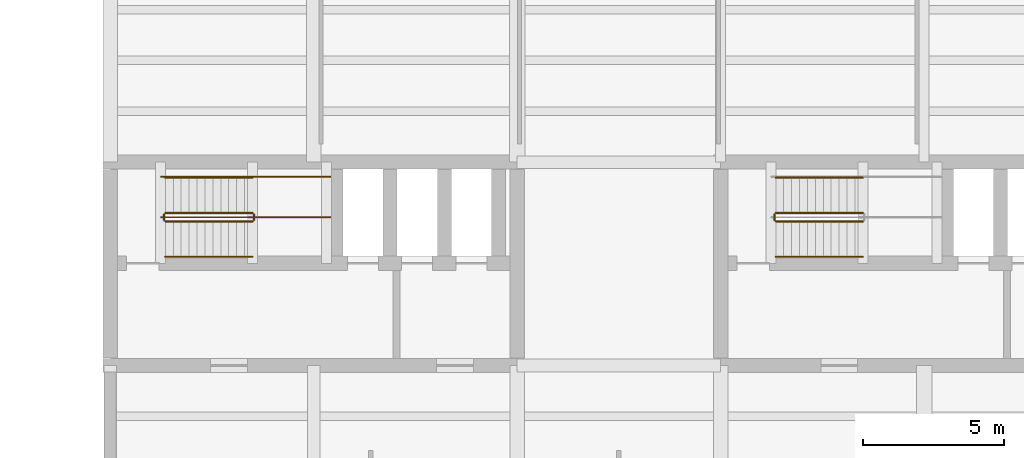
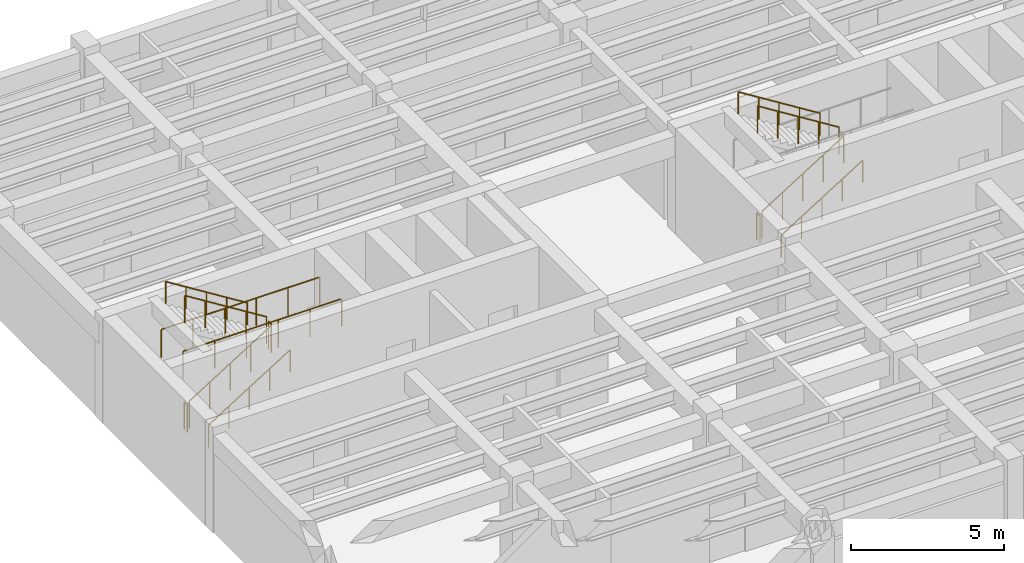
# One storey, part 30 of 33: 13 railings.
"""IFC4 building model written with IfcOpenShell, lengths in metres."""

from ifc_helpers import new_model, si_unit, direction, frame, origin, origin_2d, place, context, subcontext, project, spatial, circle, extrude, material, type_object, element, save


model = new_model("IFC4")

# Units and contexts
model_context = context("Model", 3, precision=1e-05, world=origin(), true_north=direction((0.0, 1.0)))
body_context = subcontext(model_context, "Body", "Model", "MODEL_VIEW")
ifc_project = project(units=[si_unit("LENGTHUNIT", "METRE"), si_unit("AREAUNIT", "SQUARE_METRE"), si_unit("VOLUMEUNIT", "CUBIC_METRE"), si_unit("PLANEANGLEUNIT", "RADIAN"), si_unit("MASSUNIT", "GRAM", prefix="KILO")], contexts=[model_context])

# Site, building, storey
site_placement = place(None, origin())
site = spatial("IfcSite", under=ifc_project, at=site_placement, CompositionType="ELEMENT")
building_placement = place(site_placement, origin())
building = spatial("IfcBuilding", under=site, at=building_placement, Name="Mithqara Police Headquarters", CompositionType="ELEMENT")
storey_placement = place(building_placement, frame((0.0, 0.0, -4.199951171875)))
storey = spatial("IfcBuildingStorey", under=building, at=storey_placement, Name="B1", CompositionType="ELEMENT", Elevation=-4.199951171875)

# Railings
ifc_material = material(Name="Steel S355JR", Category="steel")
railing_type_1 = type_object("IfcRailingType", Name="HANDRAIL 920", PredefinedType="HANDRAIL", material=ifc_material)
railing_1_placement = place(storey_placement, frame((110.550048828125, 96.85009765625, 0.175048828125)))
element("IfcRailing", 1, at=railing_1_placement, inside=storey, type_object=railing_type_1, Name="B1 ST-01 stair handrail 1", PredefinedType="HANDRAIL", context=body_context, shape_type="SweptSolid", body=[
    extrude(circle(Radius=0.02392578125, at=origin_2d()), frame((0.0, 0.0, 0.8759765625), z_axis=(0.848009633417, 0.0, 0.529980812513), x_axis=(0.0, 1.0, 0.0)), (0.0, 0.0, 1.0), 3.6318359375),
    extrude(circle(Radius=0.02099609375, at=origin_2d()), origin(), (0.0, 0.0, 1.0), 0.851806640625),
    extrude(circle(Radius=0.02099609375, at=origin_2d()), frame((0.77001953125, 0.0, 0.481201171875)), (0.0, 0.0, 1.0), 0.851806640625),
    extrude(circle(Radius=0.02099609375, at=origin_2d()), frame((1.5400390625, 0.0, 0.96240234375)), (0.0, 0.0, 1.0), 0.851806640625),
    extrude(circle(Radius=0.02099609375, at=origin_2d()), frame((2.309814453125, 0.0, 1.443603515625)), (0.0, 0.0, 1.0), 0.851806640625),
    extrude(circle(Radius=0.02099609375, at=origin_2d()), frame((3.079833984375, 0.0, 1.9248046875)), (0.0, 0.0, 1.0), 0.851806640625),
])
railing_2_placement = place(storey_placement, frame((113.6298828125, 99.64990234375, 2.27490234375)))
element("IfcRailing", 2, at=railing_2_placement, inside=storey, type_object=railing_type_1, Name="B1 ST-01 stair handrail 2", PredefinedType="HANDRAIL", context=body_context, shape_type="SweptSolid", body=[
    extrude(circle(Radius=0.02392578125, at=origin_2d()), frame((0.0, 0.0, 0.8759765625), z_axis=(-0.847979421464, 0.0, 0.530029150871), x_axis=(0.0, -1.0, 0.0)), (0.0, 0.0, 1.0), 3.632080078125),
    extrude(circle(Radius=0.02099609375, at=origin_2d()), origin(), (0.0, 0.0, 1.0), 0.851806640625),
    extrude(circle(Radius=0.02099609375, at=origin_2d()), frame((-0.77001953125, 0.0, 0.481201171875)), (0.0, 0.0, 1.0), 0.851806640625),
    extrude(circle(Radius=0.02099609375, at=origin_2d()), frame((-1.5400390625, 0.0, 0.96240234375)), (0.0, 0.0, 1.0), 0.851806640625),
    extrude(circle(Radius=0.02099609375, at=origin_2d()), frame((-2.309814453125, 0.0, 1.44384765625)), (0.0, 0.0, 1.0), 0.851806640625),
    extrude(circle(Radius=0.02099609375, at=origin_2d()), frame((-3.079833984375, 0.0, 1.925048828125)), (0.0, 0.0, 1.0), 0.851806640625),
])
railing_3_placement = place(storey_placement, frame((132.14990234375, 96.85009765625, 0.175048828125)))
element("IfcRailing", 3, at=railing_3_placement, inside=storey, type_object=railing_type_1, Name="B1 ST-02 stair handrail 1", PredefinedType="HANDRAIL", context=body_context, shape_type="SweptSolid", body=[
    extrude(circle(Radius=0.02392578125, at=origin_2d()), frame((0.0, 0.0, 0.8759765625), z_axis=(0.848028513186, 0.0, 0.529950602248), x_axis=(0.0, 1.0, 0.0)), (0.0, 0.0, 1.0), 3.632080078125),
    extrude(circle(Radius=0.02099609375, at=origin_2d()), origin(), (0.0, 0.0, 1.0), 0.851806640625),
    extrude(circle(Radius=0.02099609375, at=origin_2d()), frame((0.77001953125, 0.0, 0.481201171875)), (0.0, 0.0, 1.0), 0.851806640625),
    extrude(circle(Radius=0.02099609375, at=origin_2d()), frame((1.5400390625, 0.0, 0.96240234375)), (0.0, 0.0, 1.0), 0.851806640625),
    extrude(circle(Radius=0.02099609375, at=origin_2d()), frame((2.31005859375, 0.0, 1.443603515625)), (0.0, 0.0, 1.0), 0.851806640625),
    extrude(circle(Radius=0.02099609375, at=origin_2d()), frame((3.080078125, 0.0, 1.9248046875)), (0.0, 0.0, 1.0), 0.851806640625),
])
railing_4_placement = place(storey_placement, frame((135.22998046875, 99.64990234375, 2.27490234375)))
element("IfcRailing", 4, at=railing_4_placement, inside=storey, type_object=railing_type_1, Name="B1 ST-02 stair handrail 2", PredefinedType="HANDRAIL", context=body_context, shape_type="SweptSolid", body=[
    extrude(circle(Radius=0.02392578125, at=origin_2d()), frame((0.0, 0.0, 0.8759765625), z_axis=(-0.847998304005, 0.0, 0.529998940003), x_axis=(0.0, -1.0, 0.0)), (0.0, 0.0, 1.0), 3.632080078125),
    extrude(circle(Radius=0.02099609375, at=origin_2d()), origin(), (0.0, 0.0, 1.0), 0.851806640625),
    extrude(circle(Radius=0.02099609375, at=origin_2d()), frame((-0.77001953125, 0.0, 0.481201171875)), (0.0, 0.0, 1.0), 0.851806640625),
    extrude(circle(Radius=0.02099609375, at=origin_2d()), frame((-1.5400390625, 0.0, 0.96240234375)), (0.0, 0.0, 1.0), 0.851806640625),
    extrude(circle(Radius=0.02099609375, at=origin_2d()), frame((-2.31005859375, 0.0, 1.44384765625)), (0.0, 0.0, 1.0), 0.851806640625),
    extrude(circle(Radius=0.02099609375, at=origin_2d()), frame((-3.080078125, 0.0, 1.925048828125)), (0.0, 0.0, 1.0), 0.851806640625),
])
railing_type_2 = type_object("IfcRailingType", Name="STAIR GUARD 1120", PredefinedType="GUARDRAIL", material=ifc_material)
railing_5_placement = place(storey_placement, frame((110.550048828125, 98.10009765625, 0.175048828125)))
element("IfcRailing", 5, at=railing_5_placement, inside=storey, type_object=railing_type_2, Name="B1 ST-01 stair guard 1", PredefinedType="GUARDRAIL", context=body_context, shape_type="SweptSolid", body=[
    extrude(circle(Radius=0.02392578125, at=origin_2d()), frame((0.0, 0.0, 1.076171875), z_axis=(0.848009633417, 0.0, 0.529980812513), x_axis=(0.0, 1.0, 0.0)), (0.0, 0.0, 1.0), 3.6318359375),
    extrude(circle(Radius=0.02099609375, at=origin_2d()), origin(), (0.0, 0.0, 1.0), 1.052001953125),
    extrude(circle(Radius=0.02099609375, at=origin_2d()), frame((0.77001953125, 0.0, 0.481201171875)), (0.0, 0.0, 1.0), 1.052001953125),
    extrude(circle(Radius=0.02099609375, at=origin_2d()), frame((1.5400390625, 0.0, 0.96240234375)), (0.0, 0.0, 1.0), 1.052001953125),
    extrude(circle(Radius=0.02099609375, at=origin_2d()), frame((2.309814453125, 0.0, 1.443603515625)), (0.0, 0.0, 1.0), 1.052001953125),
    extrude(circle(Radius=0.02099609375, at=origin_2d()), frame((3.079833984375, 0.0, 1.9248046875)), (0.0, 0.0, 1.0), 1.052001953125),
])
railing_6_placement = place(storey_placement, frame((113.679931640625, 98.14990234375, 2.099853515625)))
element("IfcRailing", 6, at=railing_6_placement, inside=storey, type_object=railing_type_2, Name="B1 ST-01 stair guard 2", PredefinedType="GUARDRAIL", context=body_context, shape_type="SweptSolid", body=[
    extrude(circle(Radius=0.02392578125, at=origin_2d()), frame((0.0, 0.0, 1.076171875), z_axis=(0.0, 1.0, 0.0), x_axis=(-1.0, 0.0, 0.0)), (0.0, 0.0, 1.0), 0.2001953125),
    extrude(circle(Radius=0.02099609375, at=origin_2d()), origin(), (0.0, 0.0, 1.0), 1.052001953125),
    extrude(circle(Radius=0.02099609375, at=origin_2d()), frame((0.0, 0.2001953125, 0.0)), (0.0, 0.0, 1.0), 1.052001953125),
])
railing_7_placement = place(storey_placement, frame((113.6298828125, 98.39990234375, 2.27490234375)))
element("IfcRailing", 7, at=railing_7_placement, inside=storey, type_object=railing_type_2, Name="B1 ST-01 stair guard 3", PredefinedType="GUARDRAIL", context=body_context, shape_type="SweptSolid", body=[
    extrude(circle(Radius=0.02392578125, at=origin_2d()), frame((0.0, 0.0, 1.076171875), z_axis=(-0.847979421464, 0.0, 0.530029150871), x_axis=(0.0, -1.0, 0.0)), (0.0, 0.0, 1.0), 3.632080078125),
    extrude(circle(Radius=0.02099609375, at=origin_2d()), origin(), (0.0, 0.0, 1.0), 1.052001953125),
    extrude(circle(Radius=0.02099609375, at=origin_2d()), frame((-0.77001953125, 0.0, 0.481201171875)), (0.0, 0.0, 1.0), 1.052001953125),
    extrude(circle(Radius=0.02099609375, at=origin_2d()), frame((-1.5400390625, 0.0, 0.96240234375)), (0.0, 0.0, 1.0), 1.052001953125),
    extrude(circle(Radius=0.02099609375, at=origin_2d()), frame((-2.309814453125, 0.0, 1.44384765625)), (0.0, 0.0, 1.0), 1.052001953125),
    extrude(circle(Radius=0.02099609375, at=origin_2d()), frame((-3.079833984375, 0.0, 1.925048828125)), (0.0, 0.0, 1.0), 1.052001953125),
])
railing_8_placement = place(storey_placement, frame((110.5, 98.14990234375, 0.0)))
element("IfcRailing", 8, at=railing_8_placement, inside=storey, type_object=railing_type_2, Name="B1 ST-01 stair guard 4", PredefinedType="GUARDRAIL", context=body_context, shape_type="SweptSolid", body=[
    extrude(circle(Radius=0.02392578125, at=origin_2d()), frame((0.0, 0.0, 1.076171875), z_axis=(0.0, 1.0, 0.0), x_axis=(-1.0, 0.0, 0.0)), (0.0, 0.0, 1.0), 0.2001953125),
    extrude(circle(Radius=0.02099609375, at=origin_2d()), origin(), (0.0, 0.0, 1.0), 1.052001953125),
    extrude(circle(Radius=0.02099609375, at=origin_2d()), frame((0.0, 0.2001953125, 0.0)), (0.0, 0.0, 1.0), 1.052001953125),
])
for number, where, name in (
    (9, (110.39990234375, 98.25, 2.099853515625), "B1 ST-01 Half-Landing Guard IN"),
    (10, (110.39990234375, 99.679931640625, 2.099853515625), "B1 ST-01 Half-Landing Guard OUT"),
):
    element("IfcRailing", number, at=place(storey_placement, frame(where)), inside=storey, type_object=railing_type_2, Name=name, PredefinedType="GUARDRAIL", context=body_context, shape_type="SweptSolid", body=[
        extrude(circle(Radius=0.02392578125, at=origin_2d()), frame((0.0, 0.0, 1.09619140625), z_axis=(1.0, 0.0, 0.0), x_axis=(0.0, 1.0, 0.0)), (0.0, 0.0, 1.0), 5.97998046875),
        extrude(circle(Radius=0.02099609375, at=origin_2d()), origin(), (0.0, 0.0, 1.0), 1.072021484375),
        extrude(circle(Radius=0.02099609375, at=origin_2d()), frame((1.196044921875, 0.0, 0.0)), (0.0, 0.0, 1.0), 1.072021484375),
        extrude(circle(Radius=0.02099609375, at=origin_2d()), frame((2.39208984375, 0.0, 0.0)), (0.0, 0.0, 1.0), 1.072021484375),
        extrude(circle(Radius=0.02099609375, at=origin_2d()), frame((3.587890625, 0.0, 0.0)), (0.0, 0.0, 1.0), 1.072021484375),
        extrude(circle(Radius=0.02099609375, at=origin_2d()), frame((4.783935546875, 0.0, 0.0)), (0.0, 0.0, 1.0), 1.072021484375),
        extrude(circle(Radius=0.02099609375, at=origin_2d()), frame((5.97998046875, 0.0, 0.0)), (0.0, 0.0, 1.0), 1.072021484375),
    ])
railing_9_placement = place(storey_placement, frame((132.14990234375, 98.10009765625, 0.175048828125)))
element("IfcRailing", 11, at=railing_9_placement, inside=storey, type_object=railing_type_2, Name="B1 ST-02 stair guard 1", PredefinedType="GUARDRAIL", context=body_context, shape_type="SweptSolid", body=[
    extrude(circle(Radius=0.02392578125, at=origin_2d()), frame((0.0, 0.0, 1.076171875), z_axis=(0.848028513186, 0.0, 0.529950602248), x_axis=(0.0, 1.0, 0.0)), (0.0, 0.0, 1.0), 3.632080078125),
    extrude(circle(Radius=0.02099609375, at=origin_2d()), origin(), (0.0, 0.0, 1.0), 1.052001953125),
    extrude(circle(Radius=0.02099609375, at=origin_2d()), frame((0.77001953125, 0.0, 0.481201171875)), (0.0, 0.0, 1.0), 1.052001953125),
    extrude(circle(Radius=0.02099609375, at=origin_2d()), frame((1.5400390625, 0.0, 0.96240234375)), (0.0, 0.0, 1.0), 1.052001953125),
    extrude(circle(Radius=0.02099609375, at=origin_2d()), frame((2.31005859375, 0.0, 1.443603515625)), (0.0, 0.0, 1.0), 1.052001953125),
    extrude(circle(Radius=0.02099609375, at=origin_2d()), frame((3.080078125, 0.0, 1.9248046875)), (0.0, 0.0, 1.0), 1.052001953125),
])
railing_10_placement = place(storey_placement, frame((135.22998046875, 98.39990234375, 2.27490234375)))
element("IfcRailing", 12, at=railing_10_placement, inside=storey, type_object=railing_type_2, Name="B1 ST-02 stair guard 3", PredefinedType="GUARDRAIL", context=body_context, shape_type="SweptSolid", body=[
    extrude(circle(Radius=0.02392578125, at=origin_2d()), frame((0.0, 0.0, 1.076171875), z_axis=(-0.847998304005, 0.0, 0.529998940003), x_axis=(0.0, -1.0, 0.0)), (0.0, 0.0, 1.0), 3.632080078125),
    extrude(circle(Radius=0.02099609375, at=origin_2d()), origin(), (0.0, 0.0, 1.0), 1.052001953125),
    extrude(circle(Radius=0.02099609375, at=origin_2d()), frame((-0.77001953125, 0.0, 0.481201171875)), (0.0, 0.0, 1.0), 1.052001953125),
    extrude(circle(Radius=0.02099609375, at=origin_2d()), frame((-1.5400390625, 0.0, 0.96240234375)), (0.0, 0.0, 1.0), 1.052001953125),
    extrude(circle(Radius=0.02099609375, at=origin_2d()), frame((-2.31005859375, 0.0, 1.44384765625)), (0.0, 0.0, 1.0), 1.052001953125),
    extrude(circle(Radius=0.02099609375, at=origin_2d()), frame((-3.080078125, 0.0, 1.925048828125)), (0.0, 0.0, 1.0), 1.052001953125),
])
railing_11_placement = place(storey_placement, frame((132.10009765625, 98.14990234375, 0.0)))
element("IfcRailing", 13, at=railing_11_placement, inside=storey, type_object=railing_type_2, Name="B1 ST-02 stair guard 4", PredefinedType="GUARDRAIL", context=body_context, shape_type="SweptSolid", body=[
    extrude(circle(Radius=0.02392578125, at=origin_2d()), frame((0.0, 0.0, 1.076171875), z_axis=(0.0, 1.0, 0.0), x_axis=(-1.0, 0.0, 0.0)), (0.0, 0.0, 1.0), 0.2001953125),
    extrude(circle(Radius=0.02099609375, at=origin_2d()), origin(), (0.0, 0.0, 1.0), 1.052001953125),
    extrude(circle(Radius=0.02099609375, at=origin_2d()), frame((0.0, 0.2001953125, 0.0)), (0.0, 0.0, 1.0), 1.052001953125),
])

save(model, "model.ifc")
